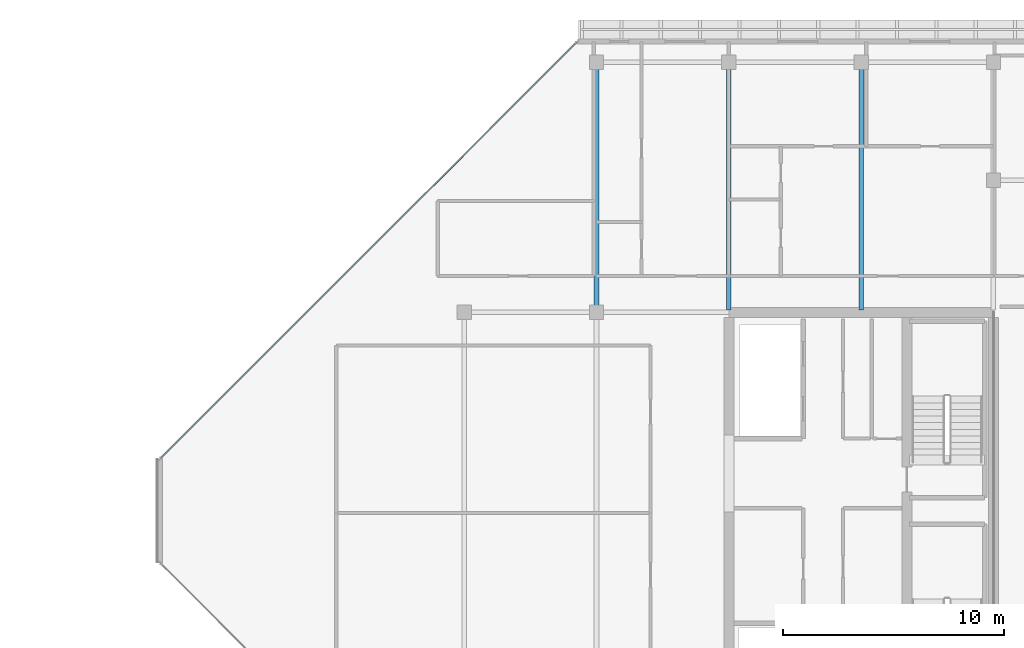
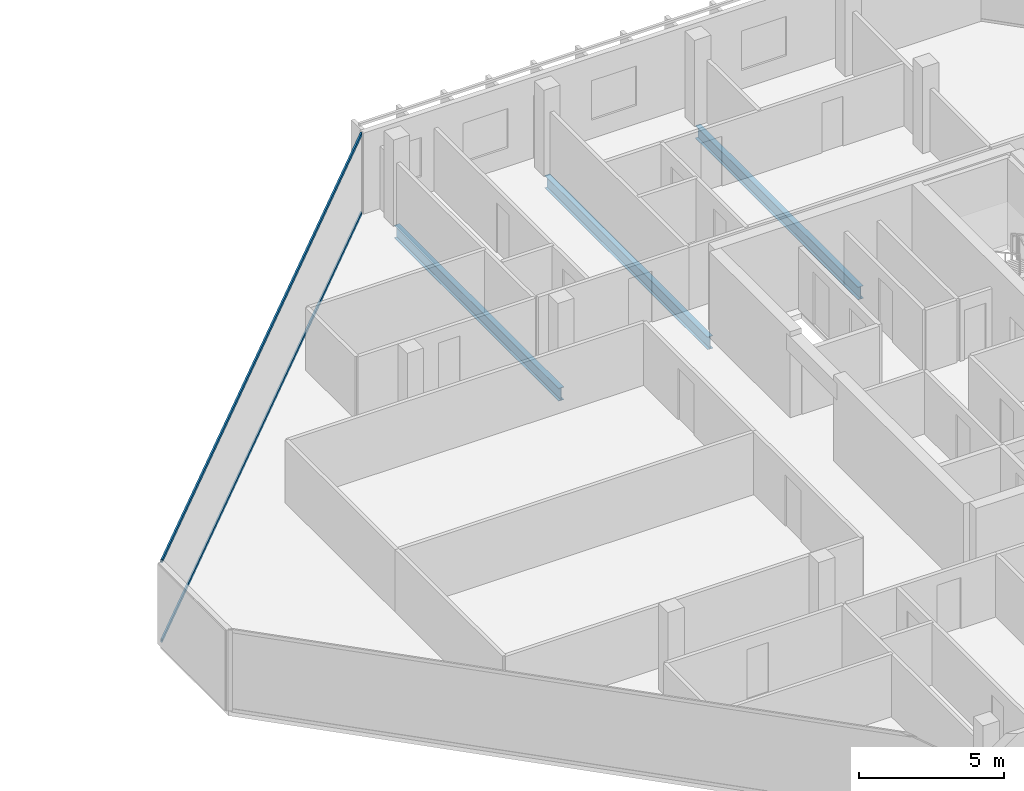
# One storey, part 13 of 28: 3 beams, 2 members, 1 element without a shape of its own.
"""IFC4 building model written with IfcOpenShell, lengths in metres."""

from ifc_helpers import new_model, si_unit, direction, frame, origin, origin_2d, place, context, subcontext, project, spatial, hollow_rectangle, i_section, extrude, material, layer, layer_set, material_profile, profile_set, type_object, element, aggregate, save


model = new_model("IFC4")

# Units and contexts
model_context = context("Model", 3, precision=1e-05, world=origin(), true_north=direction((0.0, 1.0)))
body_context = subcontext(model_context, "Body", "Model", "MODEL_VIEW")
ifc_project = project(units=[si_unit("LENGTHUNIT", "METRE"), si_unit("AREAUNIT", "SQUARE_METRE"), si_unit("VOLUMEUNIT", "CUBIC_METRE"), si_unit("PLANEANGLEUNIT", "RADIAN"), si_unit("MASSUNIT", "GRAM", prefix="KILO")], contexts=[model_context])

# Site, building, storey
site_placement = place(None, origin())
site = spatial("IfcSite", under=ifc_project, at=site_placement, CompositionType="ELEMENT")
building_placement = place(site_placement, origin())
building = spatial("IfcBuilding", under=site, at=building_placement, Name="Tanjung Sevakor Pilgrim Tower", CompositionType="ELEMENT")
storey_placement = place(building_placement, frame((0.0, 0.0, 242.550048828125)))
storey = spatial("IfcBuildingStorey", under=building, at=storey_placement, Name="L68", CompositionType="ELEMENT", Elevation=242.550048828125)

# Beams
ifc_material_1 = material(Name="Steel S355J2", Category="steel")
ifc_material_profile_1 = material_profile(ifc_material_1, i_section(OverallWidth=0.210693359375, OverallDepth=0.53955078125, WebThickness=0.01171875, FlangeThickness=0.018798828125, FilletRadius=0.0126953125, at=origin_2d()))
ifc_profile_set_1 = profile_set([ifc_material_profile_1], Name="Steel S355J2")
beam_type = type_object("IfcBeamType", Name="BM-B-G6-UB_533x210x109", PredefinedType="BEAM", material=ifc_profile_set_1)
beam_placement = place(storey_placement, frame((72.0, 42.60009765625, -0.48974609375), z_axis=(0.0, 1.0, 0.0), x_axis=(-1.0, 0.0, 0.0)))
element("IfcBeam", 1, at=beam_placement, inside=storey, type_object=beam_type, Name="L68 EAST Girder 004", PredefinedType="BEAM", context=body_context, shape_type="SweptSolid", body=[
    extrude(i_section(OverallWidth=0.210693359375, OverallDepth=0.53955078125, WebThickness=0.01171875, FlangeThickness=0.018798828125, FilletRadius=0.0126953125, at=origin_2d()), origin(), (0.0, 0.0, 1.0), 11.349853515625),
])
for number, where, z_axis, x_axis, name in (
    (2, (78.0, 42.7060546875, -0.48974609375), (0.0, 1.0, 0.0), (-1.0, 0.0, 0.0), "L68 EAST Girder 006"),
    (3, (84.0, 42.7060546875, -0.48974609375), (0.0, 1.0, 0.0), (-1.0, 0.0, 0.0), "L68 EAST Girder 008"),
):
    element("IfcBeam", number, at=place(storey_placement, frame(where, z_axis=z_axis, x_axis=x_axis)), inside=storey, type_object=beam_type, Name=name, PredefinedType="BEAM", context=body_context, shape_type="SweptSolid", body=[
        extrude(i_section(OverallWidth=0.210693359375, OverallDepth=0.53955078125, WebThickness=0.01171875, FlangeThickness=0.018798828125, FilletRadius=0.0126953125, at=origin_2d()), origin(), (0.0, 0.0, 1.0), 11.243896484375),
    ])

# Curtain wall, members
ifc_material_2 = material(Name="Aluminium 6063-T6 and Low-E Glass", Category="aluminium")
ifc_layer = layer(ifc_material_2, 0.179931640625)
ifc_layer_set = layer_set([ifc_layer], Name="CW-SYS-CHAM")
curtain_wall_type = type_object("IfcCurtainWallType", Name="CW-SYS-CHAM", PredefinedType="NOTDEFINED", material=ifc_layer_set)
curtain_wall_placement = place(storey_placement, origin())
curtain_wall = element("IfcCurtainWall", 4, at=curtain_wall_placement, inside=storey, type_object=curtain_wall_type, Name="L68 Curtain Wall CW-CHM-L68-EAST-5", PredefinedType="NOTDEFINED")
ifc_material_3 = material(Name="Aluminium 6063-T6", Category="aluminium")
ifc_material_profile_2 = material_profile(ifc_material_3, hollow_rectangle(XDim=0.06494140625, YDim=0.139892578125, WallThickness=0.00390625, at=origin_2d()))
ifc_profile_set_2 = profile_set([ifc_material_profile_2], Name="Aluminium 6063-T6")
member_type = type_object("IfcMemberType", Name="TYPE-CWT-1", PredefinedType="USERDEFINED", material=ifc_profile_set_2)
member_1_placement = place(storey_placement, frame((71.099609375, 54.843994140625, 0.032470703125), z_axis=(-0.707106781187, -0.707106781187, 0.0), x_axis=(0.707106781187, -0.707106781187, 0.0)))
member_1 = element("IfcMember", 5, at=member_1_placement, type_object=member_type, Name="CW-CHM transom 1.1", ObjectType="TRANSOM", PredefinedType="USERDEFINED", context=body_context, shape_type="SweptSolid", body=[
    extrude(hollow_rectangle(XDim=0.06494140625, YDim=0.139892578125, WallThickness=0.00390625, at=origin_2d()), origin(), (0.0, 0.0, 1.0), 26.649169921875),
])
member_2_placement = place(storey_placement, frame((71.099609375, 54.843994140625, 3.37744140625), z_axis=(-0.707106781187, -0.707106781187, 0.0), x_axis=(0.707106781187, -0.707106781187, 0.0)))
member_2 = element("IfcMember", 6, at=member_2_placement, type_object=member_type, Name="CW-CHM transom 1.2", ObjectType="TRANSOM", PredefinedType="USERDEFINED", context=body_context, shape_type="SweptSolid", body=[
    extrude(hollow_rectangle(XDim=0.06494140625, YDim=0.139892578125, WallThickness=0.00390625, at=origin_2d()), origin(), (0.0, 0.0, 1.0), 26.649169921875),
])
aggregate(curtain_wall, [member_1, member_2])

save(model, "model.ifc")
